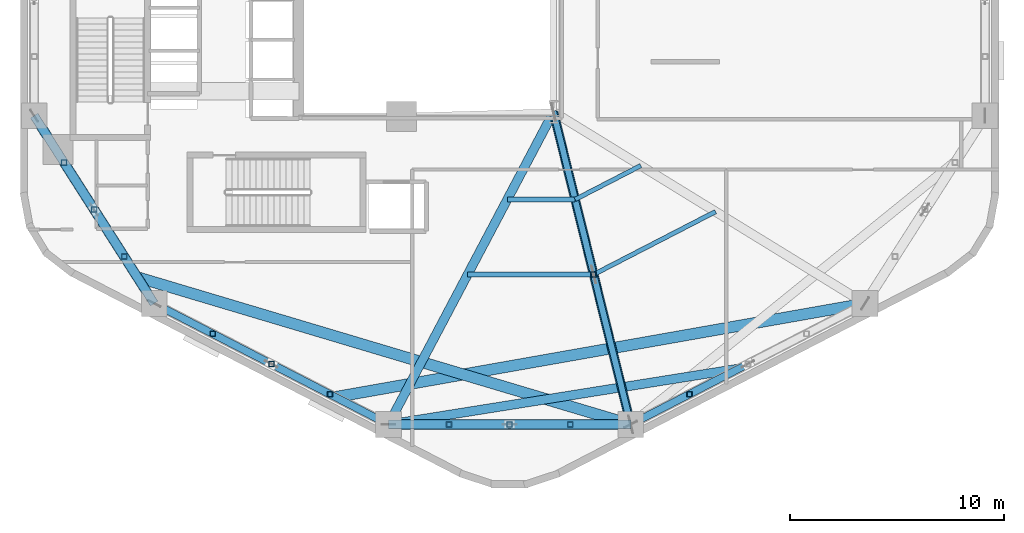
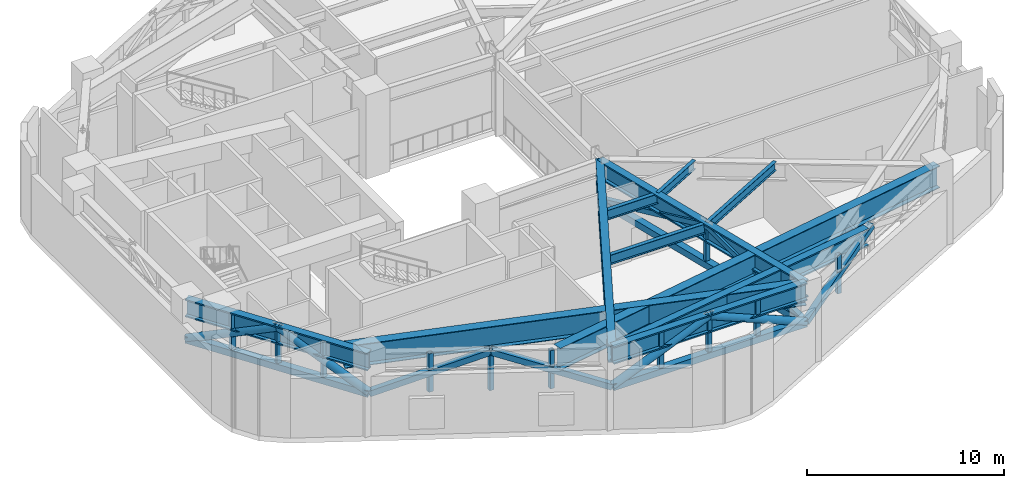
# One storey, part 2 of 14: 23 members, 11 beams.
"""IFC4 building model written with IfcOpenShell, lengths in metres."""

from ifc_helpers import new_model, si_unit, direction, frame, origin, origin_2d, place, context, subcontext, project, spatial, hollow_rectangle, hollow_circle, i_section, extrude, material, material_profile, profile_set, type_object, element, save


model = new_model("IFC4")

# Units and contexts
model_context = context("Model", 3, precision=1e-05, world=origin(), true_north=direction((0.0, 1.0)))
body_context = subcontext(model_context, "Body", "Model", "MODEL_VIEW")
ifc_project = project(units=[si_unit("LENGTHUNIT", "METRE"), si_unit("AREAUNIT", "SQUARE_METRE"), si_unit("VOLUMEUNIT", "CUBIC_METRE"), si_unit("PLANEANGLEUNIT", "RADIAN"), si_unit("MASSUNIT", "GRAM", prefix="KILO"), si_unit("THERMODYNAMICTEMPERATUREUNIT", "KELVIN"), si_unit("POWERUNIT", "WATT")], contexts=[model_context])

# Site, building, storey
site_placement = place(None, origin())
site = spatial("IfcSite", under=ifc_project, at=site_placement, CompositionType="ELEMENT")
building_placement = place(site_placement, origin())
building = spatial("IfcBuilding", under=site, at=building_placement, Name="Skarre Station Tower", CompositionType="ELEMENT")
storey_placement = place(building_placement, frame((0.0, 0.0, 96.35009765625)))
storey = spatial("IfcBuildingStorey", under=building, at=storey_placement, Name="L25", CompositionType="ELEMENT", Elevation=96.35009765625)

# Beams
ifc_material_1 = material(Name="Steel ASTM A572 Grade 50", Category="steel")
ifc_material_profile_1 = material_profile(ifc_material_1, i_section(OverallWidth=0.52001953125, OverallDepth=1.360107421875, WebThickness=0.02587890625, FlangeThickness=0.0380859375, at=origin_2d()), Name="Steel ASTM A572 Grade 50")
ifc_profile_set_1 = profile_set([ifc_material_profile_1], Name="Steel ASTM A572 Grade 50")
beam_type_1 = type_object("IfcBeamType", Name="Built-Up Plate Transfer Girder PG1360X520", PredefinedType="USERDEFINED", material=ifc_profile_set_1)
beam_1_placement = place(storey_placement, frame((43.06005859375, 4.052978515625, 4.099853515625), z_axis=(-0.958248400693, 0.285937060502, 0.0), x_axis=(-0.285937060502, -0.958248400693, 0.0)))
element("IfcBeam", 1, at=beam_1_placement, inside=storey, type_object=beam_type_1, Name="L25 Setback Perimeter Transfer Girder F3C1", ObjectType="TRANSFER_GIRDER", PredefinedType="USERDEFINED", context=body_context, shape_type="SweptSolid", body=[
    extrude(i_section(OverallWidth=0.52001953125, OverallDepth=1.360107421875, WebThickness=0.02587890625, FlangeThickness=0.0380859375, at=origin_2d()), origin(), (0.0, 0.0, 1.0), 24.057373046875),
])
beam_2_placement = place(storey_placement, frame((54.007080078125, 9.701904296875, 4.099853515625), z_axis=(-0.984772701065, -0.173846849948, 0.0), x_axis=(0.173846849948, -0.984772701065, 0.0)))
element("IfcBeam", 2, at=beam_2_placement, inside=storey, type_object=beam_type_1, Name="L25 Setback Perimeter Transfer Girder F3C2", ObjectType="TRANSFER_GIRDER", PredefinedType="USERDEFINED", context=body_context, shape_type="SweptSolid", body=[
    extrude(i_section(OverallWidth=0.52001953125, OverallDepth=1.360107421875, WebThickness=0.02587890625, FlangeThickness=0.0380859375, at=origin_2d()), origin(), (0.0, 0.0, 1.0), 25.130615234375),
])
ifc_material_2 = material(Name="Steel ASTM A913 Grade 65", Category="steel")
ifc_material_profile_2 = material_profile(ifc_material_2, i_section(OverallWidth=0.424072265625, OverallDepth=1.092041015625, WebThickness=0.044921875, FlangeThickness=0.08203125, at=origin_2d()), Name="Steel ASTM A913 Grade 65")
ifc_profile_set_2 = profile_set([ifc_material_profile_2], Name="Steel ASTM A913 Grade 65")
beam_type_2 = type_object("IfcBeamType", Name="Steel Heavy Spandrel W40X593", PredefinedType="SPANDREL", material=ifc_profile_set_2)
beam_3_placement = place(storey_placement, frame((15.18701171875, 18.47900390625, 4.23388671875), z_axis=(0.538277829225, -0.842767452246, 0.0), x_axis=(0.842767452246, 0.538277829225, 0.0)))
element("IfcBeam", 3, at=beam_3_placement, inside=storey, type_object=beam_type_2, Name="L25 Facet Spandrel Beam 6", PredefinedType="SPANDREL", context=body_context, shape_type="SweptSolid", body=[
    extrude(i_section(OverallWidth=0.424072265625, OverallDepth=1.092041015625, WebThickness=0.044921875, FlangeThickness=0.08203125, at=origin_2d()), origin(), (0.0, 0.0, 1.0), 10.41455078125),
])
beam_4_placement = place(storey_placement, frame((31.739990234375, 4.052978515625, 4.23388671875), z_axis=(1.0, 0.0, 0.0), x_axis=(0.0, 1.0, 0.0)))
element("IfcBeam", 4, at=beam_4_placement, inside=storey, type_object=beam_type_2, Name="L25 Facet Spandrel Beam 8", PredefinedType="SPANDREL", context=body_context, shape_type="SweptSolid", body=[
    extrude(i_section(OverallWidth=0.424072265625, OverallDepth=1.092041015625, WebThickness=0.044921875, FlangeThickness=0.08203125, at=origin_2d()), origin(), (0.0, 0.0, 1.0), 11.320068359375),
])
ifc_material_3 = material(Name="Steel ASTM A992 Grade 50", Category="steel")
ifc_material_profile_3 = material_profile(ifc_material_3, i_section(OverallWidth=0.208984375, OverallDepth=0.532958984375, WebThickness=0.010009765625, FlangeThickness=0.01611328125, at=origin_2d()), Name="Steel ASTM A992 Grade 50")
ifc_profile_set_3 = profile_set([ifc_material_profile_3], Name="Steel ASTM A992 Grade 50")
beam_type_3 = type_object("IfcBeamType", Name="Steel Joist W21X62", PredefinedType="JOIST", material=ifc_profile_set_3)
beam_5_placement = place(storey_placement, frame((40.4609375, 14.56298828125, 4.513916015625), z_axis=(0.888605767214, 0.458671767687, 0.0), x_axis=(-0.458671767687, 0.888605767214, 0.0)))
element("IfcBeam", 5, at=beam_5_placement, inside=storey, type_object=beam_type_3, Name="L25 Auxiliary Composite Joist 7", PredefinedType="JOIST", context=body_context, shape_type="SweptSolid", body=[
    extrude(i_section(OverallWidth=0.208984375, OverallDepth=0.532958984375, WebThickness=0.010009765625, FlangeThickness=0.01611328125, at=origin_2d()), origin(), (0.0, 0.0, 1.0), 3.44921875),
])
beam_6_placement = place(storey_placement, frame((41.326904296875, 11.06005859375, 4.513916015625), z_axis=(0.888707823182, 0.458473996007, 0.0), x_axis=(-0.458473996007, 0.888707823182, 0.0)))
element("IfcBeam", 6, at=beam_6_placement, inside=storey, type_object=beam_type_3, Name="L25 Auxiliary Composite Joist 8", PredefinedType="JOIST", context=body_context, shape_type="SweptSolid", body=[
    extrude(i_section(OverallWidth=0.208984375, OverallDepth=0.532958984375, WebThickness=0.010009765625, FlangeThickness=0.01611328125, at=origin_2d()), origin(), (0.0, 0.0, 1.0), 6.406005859375),
])
ifc_material_profile_4 = material_profile(ifc_material_3, i_section(OverallWidth=0.22802734375, OverallDepth=0.60791015625, WebThickness=0.010986328125, FlangeThickness=0.01708984375, at=origin_2d()), Name="Steel ASTM A992 Grade 50")
ifc_profile_set_4 = profile_set([ifc_material_profile_4], Name="Steel ASTM A992 Grade 50")
beam_type_4 = type_object("IfcBeamType", Name="Steel Joist W24X76", PredefinedType="JOIST", material=ifc_profile_set_4)
beam_7_placement = place(storey_placement, frame((37.291015625, 14.56298828125, 4.475830078125), z_axis=(1.0, 0.0, 0.0), x_axis=(0.0, 1.0, 0.0)))
element("IfcBeam", 7, at=beam_7_placement, inside=storey, type_object=beam_type_4, Name="L25 Secondary Floor Joist 5", PredefinedType="JOIST", context=body_context, shape_type="SweptSolid", body=[
    extrude(i_section(OverallWidth=0.22802734375, OverallDepth=0.60791015625, WebThickness=0.010986328125, FlangeThickness=0.01708984375, at=origin_2d()), origin(), (0.0, 0.0, 1.0), 3.169921875),
])
beam_8_placement = place(storey_placement, frame((35.44091796875, 11.06005859375, 4.475830078125), z_axis=(1.0, 0.0, 0.0), x_axis=(0.0, 1.0, 0.0)))
element("IfcBeam", 8, at=beam_8_placement, inside=storey, type_object=beam_type_4, Name="L25 Secondary Floor Joist 6", PredefinedType="JOIST", context=body_context, shape_type="SweptSolid", body=[
    extrude(i_section(OverallWidth=0.22802734375, OverallDepth=0.60791015625, WebThickness=0.010986328125, FlangeThickness=0.01708984375, at=origin_2d()), origin(), (0.0, 0.0, 1.0), 5.885986328125),
])
ifc_material_profile_5 = material_profile(ifc_material_2, i_section(OverallWidth=0.424072265625, OverallDepth=1.092041015625, WebThickness=0.044921875, FlangeThickness=0.08203125, at=origin_2d()), Name="Steel ASTM A913 Grade 65")
ifc_profile_set_5 = profile_set([ifc_material_profile_5], Name="Steel ASTM A913 Grade 65")
beam_type_5 = type_object("IfcBeamType", Name="Steel Medium-Span Transfer Girder W40X593", PredefinedType="USERDEFINED", material=ifc_profile_set_5)
beam_9_placement = place(storey_placement, frame((39.449951171875, 18.64990234375, 4.23388671875), z_axis=(-0.467044240884, -0.884233949279, 0.0), x_axis=(0.884233949279, -0.467044240884, 0.0)))
element("IfcBeam", 9, at=beam_9_placement, inside=storey, type_object=beam_type_5, Name="L25 Radial Floor Girder F3C2", ObjectType="TRANSFER_GIRDER", PredefinedType="USERDEFINED", context=body_context, shape_type="SweptSolid", body=[
    extrude(i_section(OverallWidth=0.424072265625, OverallDepth=1.092041015625, WebThickness=0.044921875, FlangeThickness=0.08203125, at=origin_2d()), origin(), (0.0, 0.0, 1.0), 16.508056640625),
])
beam_10_placement = place(storey_placement, frame((39.449951171875, 18.64990234375, 4.23388671875), z_axis=(0.240086037639, -0.9707516132, 0.0), x_axis=(0.9707516132, 0.240086037639, 0.0)))
element("IfcBeam", 10, at=beam_10_placement, inside=storey, type_object=beam_type_5, Name="L25 Radial Floor Girder F4C1", ObjectType="TRANSFER_GIRDER", PredefinedType="USERDEFINED", context=body_context, shape_type="SweptSolid", body=[
    extrude(i_section(OverallWidth=0.424072265625, OverallDepth=1.092041015625, WebThickness=0.044921875, FlangeThickness=0.08203125, at=origin_2d()), origin(), (0.0, 0.0, 1.0), 15.03662109375),
])
ifc_material_profile_6 = material_profile(ifc_material_2, i_section(OverallWidth=0.424072265625, OverallDepth=1.092041015625, WebThickness=0.044921875, FlangeThickness=0.08203125, at=origin_2d()), Name="Steel ASTM A913 Grade 65")
ifc_profile_set_6 = profile_set([ifc_material_profile_6], Name="Steel ASTM A913 Grade 65")
beam_type_6 = type_object("IfcBeamType", Name="Steel Transfer Girder W40X593", PredefinedType="USERDEFINED", material=ifc_profile_set_6)
beam_11_placement = place(storey_placement, frame((31.739990234375, 4.052978515625, 4.23388671875), z_axis=(0.987533498654, 0.157408986514, 0.0), x_axis=(-0.157408986514, 0.987533498654, 0.0)))
element("IfcBeam", 11, at=beam_11_placement, inside=storey, type_object=beam_type_6, Name="L25 Setback Perimeter Transfer Girder F4C1", ObjectType="TRANSFER_GIRDER", PredefinedType="USERDEFINED", context=body_context, shape_type="SweptSolid", body=[
    extrude(i_section(OverallWidth=0.424072265625, OverallDepth=1.092041015625, WebThickness=0.044921875, FlangeThickness=0.08203125, at=origin_2d()), origin(), (0.0, 0.0, 1.0), 16.587890625),
])

# Members
ifc_material_4 = material(Name="Steel ASTM A500 Grade C", Category="steel")
ifc_material_profile_7 = material_profile(ifc_material_4, hollow_circle(Radius=0.228515625, WallThickness=0.02001953125, at=origin_2d()), Name="Steel ASTM A500 Grade C")
ifc_profile_set_7 = profile_set([ifc_material_profile_7], Name="Steel ASTM A500 Grade C")
member_type_1 = type_object("IfcMemberType", Name="Steel Truss Brace CHS457X20", PredefinedType="BRACE", material=ifc_profile_set_7)
member_1_placement = place(storey_placement, frame((15.18701171875, 18.47900390625, 2.25), z_axis=(0.48954730418, -0.766535309401, 0.415652566949), x_axis=(0.842787827001, 0.538245927674, 0.0)))
element("IfcMember", 12, at=member_1_placement, inside=storey, type_object=member_type_1, Name="L25 Belt Truss Chevron Diagonal 6A", PredefinedType="BRACE", context=body_context, shape_type="SweptSolid", body=[
    extrude(hollow_circle(Radius=0.228515625, WallThickness=0.02001953125, at=origin_2d()), origin(), (0.0, 0.0, 1.0), 5.7255859375),
])
member_2_placement = place(storey_placement, frame((20.79296875, 9.701904296875, 2.25), z_axis=(-0.489595309643, 0.766482544685, 0.415693326226), x_axis=(-0.842747073867, -0.538309733786, 0.0)))
element("IfcMember", 13, at=member_2_placement, inside=storey, type_object=member_type_1, Name="L25 Belt Truss Chevron Diagonal 6B", PredefinedType="BRACE", context=body_context, shape_type="SweptSolid", body=[
    extrude(hollow_circle(Radius=0.228515625, WallThickness=0.02001953125, at=origin_2d()), origin(), (0.0, 0.0, 1.0), 5.72509765625),
])
member_3_placement = place(storey_placement, frame((31.739990234375, 4.052978515625, 2.25), z_axis=(0.921823882873, 0.0, 0.387608989788), x_axis=(0.0, 1.0, 0.0)))
element("IfcMember", 14, at=member_3_placement, inside=storey, type_object=member_type_1, Name="L25 Belt Truss Chevron Diagonal 8A", PredefinedType="BRACE", context=body_context, shape_type="SweptSolid", body=[
    extrude(hollow_circle(Radius=0.228515625, WallThickness=0.02001953125, at=origin_2d()), origin(), (0.0, 0.0, 1.0), 6.139892578125),
])
member_4_placement = place(storey_placement, frame((43.06005859375, 4.052978515625, 2.25), z_axis=(-0.921829856556, 0.0, 0.387594782682), x_axis=(0.0, -1.0, 0.0)))
element("IfcMember", 15, at=member_4_placement, inside=storey, type_object=member_type_1, Name="L25 Belt Truss Chevron Diagonal 8B", PredefinedType="BRACE", context=body_context, shape_type="SweptSolid", body=[
    extrude(hollow_circle(Radius=0.228515625, WallThickness=0.02001953125, at=origin_2d()), origin(), (0.0, 0.0, 1.0), 6.14013671875),
])
ifc_material_profile_8 = material_profile(ifc_material_4, hollow_rectangle(XDim=0.300048828125, YDim=0.300048828125, WallThickness=0.01611328125, at=origin_2d()), Name="Steel ASTM A500 Grade C")
ifc_profile_set_8 = profile_set([ifc_material_profile_8], Name="Steel ASTM A500 Grade C")
member_type_2 = type_object("IfcMemberType", Name="Steel Truss Brace HSS300X300X16", PredefinedType="BRACE", material=ifc_profile_set_8)
member_5_placement = place(storey_placement, frame((39.449951171875, 18.64990234375, 2.25), z_axis=(0.229662189616, -0.928686023776, 0.291200185273), x_axis=(0.970756533511, 0.24006614223, 0.0)))
element("IfcMember", 16, at=member_5_placement, inside=storey, type_object=member_type_2, Name="L25 Outrigger Truss Diagonal 2A", PredefinedType="BRACE", context=body_context, shape_type="SweptSolid", body=[
    extrude(hollow_rectangle(XDim=0.300048828125, YDim=0.300048828125, WallThickness=0.01611328125, at=origin_2d()), origin(), (0.0, 0.0, 1.0), 8.172607421875),
])
member_6_placement = place(storey_placement, frame((43.06005859375, 4.052978515625, 2.25), z_axis=(-0.228033121898, 0.921929656513, 0.313123943127), x_axis=(-0.970746283274, -0.240107587365, 0.0)))
element("IfcMember", 17, at=member_6_placement, inside=storey, type_object=member_type_2, Name="L25 Outrigger Truss Diagonal 2B", PredefinedType="BRACE", context=body_context, shape_type="SweptSolid", body=[
    extrude(hollow_rectangle(XDim=0.300048828125, YDim=0.300048828125, WallThickness=0.01611328125, at=origin_2d()), origin(), (0.0, 0.0, 1.0), 7.600341796875),
])
ifc_material_profile_9 = material_profile(ifc_material_4, hollow_rectangle(XDim=0.35009765625, YDim=0.35009765625, WallThickness=0.02001953125, at=origin_2d()), Name="Steel ASTM A500 Grade C")
ifc_profile_set_9 = profile_set([ifc_material_profile_9], Name="Steel ASTM A500 Grade C")
member_type_3 = type_object("IfcMemberType", Name="Steel Truss Brace HSS350X350X20", PredefinedType="BRACE", material=ifc_profile_set_9)
member_7_placement = place(storey_placement, frame((20.79296875, 9.701904296875, 2.25), z_axis=(0.82893484422, -0.427776517816, 0.360380735949), x_axis=(0.458591432149, 0.888647229422, 0.0)))
element("IfcMember", 18, at=member_7_placement, inside=storey, type_object=member_type_3, Name="L25 Belt Truss Chevron Diagonal 7A", PredefinedType="BRACE", context=body_context, shape_type="SweptSolid", body=[
    extrude(hollow_rectangle(XDim=0.35009765625, YDim=0.35009765625, WallThickness=0.02001953125, at=origin_2d()), origin(), (0.0, 0.0, 1.0), 6.603759765625),
])
member_8_placement = place(storey_placement, frame((31.739990234375, 4.052978515625, 2.25), z_axis=(-0.828929443902, 0.427721232886, 0.360458768754), x_axis=(-0.45854698635, -0.888670164521, 0.0)))
element("IfcMember", 19, at=member_8_placement, inside=storey, type_object=member_type_3, Name="L25 Belt Truss Chevron Diagonal 7B", PredefinedType="BRACE", context=body_context, shape_type="SweptSolid", body=[
    extrude(hollow_rectangle(XDim=0.35009765625, YDim=0.35009765625, WallThickness=0.02001953125, at=origin_2d()), origin(), (0.0, 0.0, 1.0), 6.602294921875),
])
member_9_placement = place(storey_placement, frame((43.06005859375, 4.052978515625, 2.25), z_axis=(0.828975713147, 0.427668795949, 0.360414577929), x_axis=(-0.458482377131, 0.888703499408, 0.0)))
element("IfcMember", 20, at=member_9_placement, inside=storey, type_object=member_type_3, Name="L25 Belt Truss Chevron Diagonal 9A", PredefinedType="BRACE", context=body_context, shape_type="SweptSolid", body=[
    extrude(hollow_rectangle(XDim=0.35009765625, YDim=0.35009765625, WallThickness=0.02001953125, at=origin_2d()), origin(), (0.0, 0.0, 1.0), 6.603271484375),
])
ifc_material_profile_10 = material_profile(ifc_material_4, hollow_rectangle(XDim=0.39990234375, YDim=0.39990234375, WallThickness=0.02197265625, at=origin_2d()), Name="Steel ASTM A500 Grade C")
ifc_profile_set_10 = profile_set([ifc_material_profile_10], Name="Steel ASTM A500 Grade C")
member_type_4 = type_object("IfcMemberType", Name="Steel Truss Chord HSS400X400X22", PredefinedType="CHORD", material=ifc_profile_set_10)
member_10_placement = place(storey_placement, frame((15.18701171875, 18.47900390625, 2.25), z_axis=(0.538277829225, -0.842767452246, 0.0), x_axis=(0.842767452246, 0.538277829225, 0.0)))
element("IfcMember", 21, at=member_10_placement, inside=storey, type_object=member_type_4, Name="L25 Belt Truss Bottom Chord 6", PredefinedType="CHORD", context=body_context, shape_type="SweptSolid", body=[
    extrude(hollow_rectangle(XDim=0.39990234375, YDim=0.39990234375, WallThickness=0.02197265625, at=origin_2d()), origin(), (0.0, 0.0, 1.0), 10.41455078125),
])
member_11_placement = place(storey_placement, frame((31.739990234375, 4.052978515625, 2.25), z_axis=(1.0, 0.0, 0.0), x_axis=(0.0, 1.0, 0.0)))
element("IfcMember", 22, at=member_11_placement, inside=storey, type_object=member_type_4, Name="L25 Belt Truss Bottom Chord 8", PredefinedType="CHORD", context=body_context, shape_type="SweptSolid", body=[
    extrude(hollow_rectangle(XDim=0.39990234375, YDim=0.39990234375, WallThickness=0.02197265625, at=origin_2d()), origin(), (0.0, 0.0, 1.0), 11.320068359375),
])
member_12_placement = place(storey_placement, frame((39.449951171875, 18.64990234375, 2.25), z_axis=(0.240086037639, -0.9707516132, 0.0), x_axis=(0.9707516132, 0.240086037639, 0.0)))
element("IfcMember", 23, at=member_12_placement, inside=storey, type_object=member_type_4, Name="L25 Outrigger Truss Bottom Chord 2", PredefinedType="CHORD", context=body_context, shape_type="SweptSolid", body=[
    extrude(hollow_rectangle(XDim=0.39990234375, YDim=0.39990234375, WallThickness=0.02197265625, at=origin_2d()), origin(), (0.0, 0.0, 1.0), 15.03662109375),
])
ifc_material_profile_11 = material_profile(ifc_material_4, hollow_rectangle(XDim=0.25, YDim=0.25, WallThickness=0.01611328125, at=origin_2d()), Name="Steel ASTM A500 Grade C")
ifc_profile_set_11 = profile_set([ifc_material_profile_11], Name="Steel ASTM A500 Grade C")
member_type_5 = type_object("IfcMemberType", Name="Steel Truss Strut HSS250X250X16", PredefinedType="STRUT", material=ifc_profile_set_11)
for number, where, z_axis, x_axis, name in (
    (24, (16.587890625, 16.284912109375, 2.25), (0.0, 0.0, 1.0), (1.0, 0.0, 0.0), "L25 Belt Truss Web Post 6-1"),
    (25, (17.989990234375, 14.090087890625, 2.25), (0.0, 0.0, 1.0), (1.0, 0.0, 0.0), "L25 Belt Truss Web Post 6-2"),
    (26, (19.39208984375, 11.89599609375, 2.25), (0.0, 0.0, 1.0), (1.0, 0.0, 0.0), "L25 Belt Truss Web Post 6-3"),
    (27, (23.530029296875, 8.2900390625, 2.25), (0.0, 0.0, 1.0), (1.0, 0.0, 0.0), "L25 Belt Truss Web Post 7-1"),
    (28, (26.26708984375, 6.876953125, 2.25), (0.0, 0.0, 1.0), (1.0, 0.0, 0.0), "L25 Belt Truss Web Post 7-2"),
    (29, (29.0029296875, 5.465087890625, 2.25), (0.0, 0.0, 1.0), (1.0, 0.0, 0.0), "L25 Belt Truss Web Post 7-3"),
    (30, (34.570068359375, 4.052978515625, 2.25), (0.0, 0.0, 1.0), (1.0, 0.0, 0.0), "L25 Belt Truss Web Post 8-1"),
    (31, (37.39990234375, 4.052978515625, 2.25), (0.0, 0.0, 1.0), (1.0, 0.0, 0.0), "L25 Belt Truss Web Post 8-2"),
    (32, (40.22998046875, 4.052978515625, 2.25), (0.0, 0.0, 1.0), (1.0, 0.0, 0.0), "L25 Belt Truss Web Post 8-3"),
    (33, (45.797119140625, 5.465087890625, 2.25), (0.0, 0.0, 1.0), (1.0, 0.0, 0.0), "L25 Belt Truss Web Post 9-1"),
    (34, (41.326904296875, 11.06005859375, 2.25), (0.0, 0.0, 1.0), (1.0, 0.0, 0.0), "L25 Outrigger Truss Web Post 2"),
):
    element("IfcMember", number, at=place(storey_placement, frame(where, z_axis=z_axis, x_axis=x_axis)), inside=storey, type_object=member_type_5, Name=name, PredefinedType="STRUT", context=body_context, shape_type="SweptSolid", body=[
        extrude(hollow_rectangle(XDim=0.25, YDim=0.25, WallThickness=0.01611328125, at=origin_2d()), origin(), (0.0, 0.0, 1.0), 2.3798828125),
    ])

save(model, "model.ifc")
